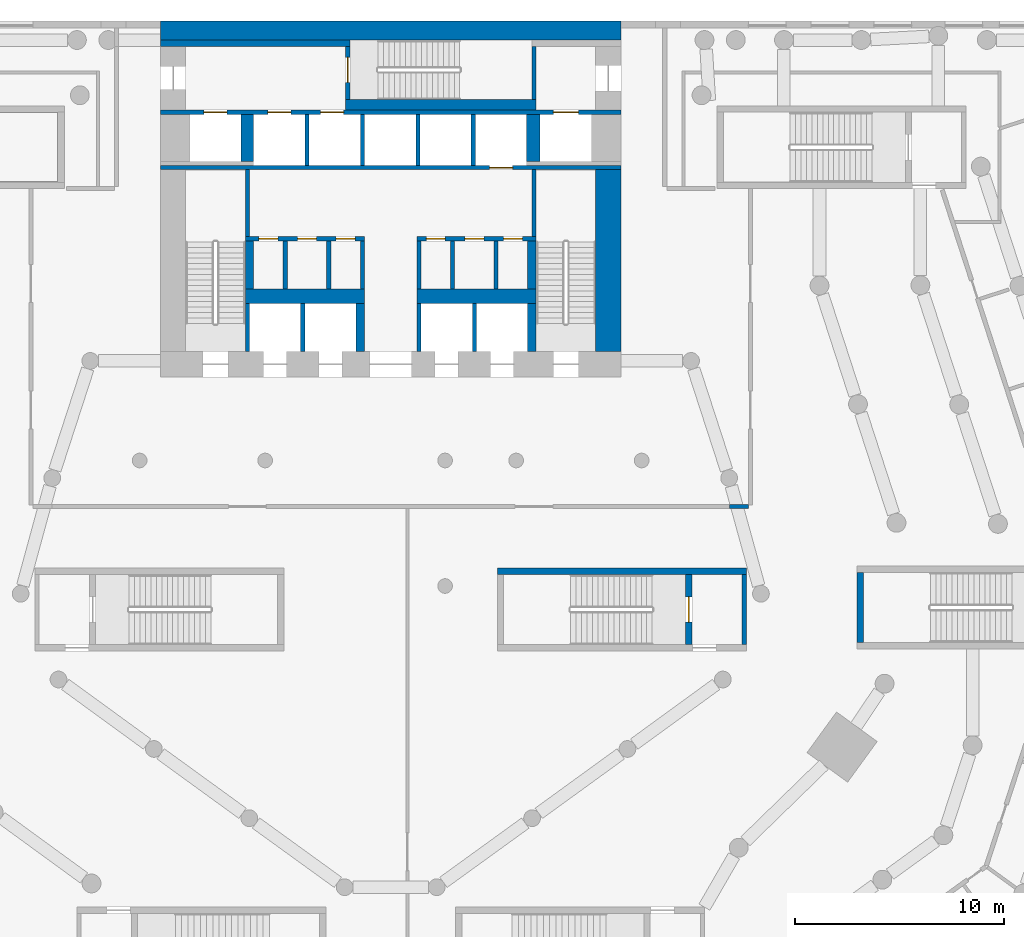
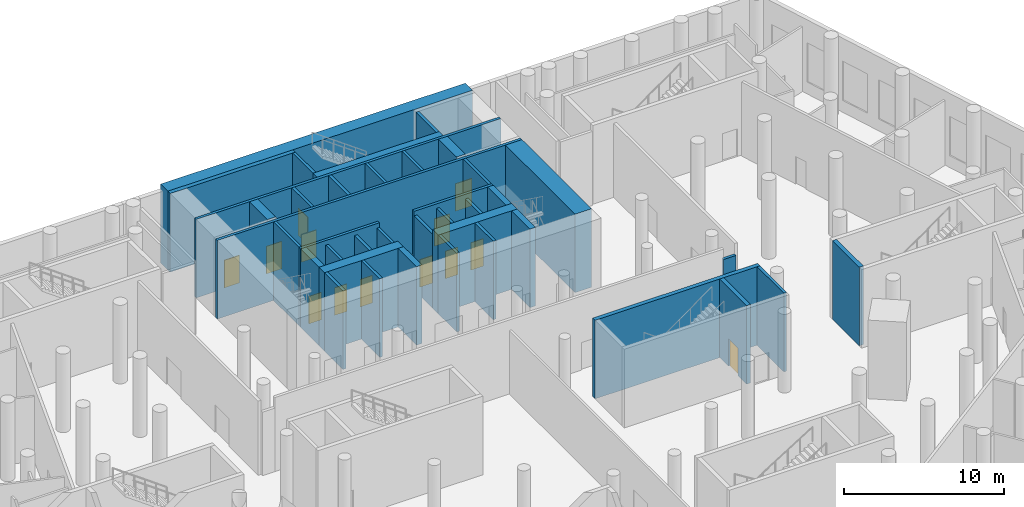
# One storey, part 16 of 23: 39 walls, 13 doors, 13 openings.
"""IFC4 building model written with IfcOpenShell, lengths in metres."""

import ifcopenshell
import ifcopenshell.guid

model = None  # the IFC model being written
_history = None  # IfcOwnerHistory: only IFC2X3 demands one
_inside = {}  # id of a spatial element -> (the spatial element, [elements in it])
_under = {}  # id of a project, library or spatial element -> (it, [spatial elements below it])
_declared = {}  # id of a project -> (the project, [libraries it declares])
_typed = {}  # id of a type object -> (the type object, [elements of that type])
_made_of = {}  # id of a material, layer set ... -> (it, [elements and type objects made of it])


def new_model(schema):
    """Start an empty IFC model of exactly this schema.

    Asked for "IFC4X3", IfcOpenShell would pick the latest addendum, in which some entities
    have other attributes; the version numbers below select the first issue.
    IFC2X3 requires an IfcOwnerHistory on every rooted entity: one is made here for all.
    """
    global model, _history
    if schema == "IFC4X3":
        model = ifcopenshell.file(schema_version=(4, 3, 0, 0))
    else:
        model = ifcopenshell.file(schema=schema)
    _inside.clear()
    _under.clear()
    _declared.clear()
    _typed.clear()
    _made_of.clear()
    _history = None
    if model.schema == "IFC2X3":
        org = make("IfcOrganization", Name="unknown")
        user = make(
            "IfcPersonAndOrganization",
            ThePerson=make("IfcPerson", FamilyName="unknown"),
            TheOrganization=org,
        )
        app = make(
            "IfcApplication",
            ApplicationDeveloper=org,
            Version="unknown",
            ApplicationFullName="unknown",
            ApplicationIdentifier="unknown",
        )
        _history = make(
            "IfcOwnerHistory",
            OwningUser=user,
            OwningApplication=app,
            ChangeAction="ADDED",
            CreationDate=0,
        )
    return model


def make(cls, **values):
    """One entity of the class cls with the attributes given. An attribute that is None is left unset."""
    return model.create_entity(
        cls, **{name: value for name, value in values.items() if value is not None}
    )


def rooted(cls, **values):
    """An entity with a GlobalId (a new one), such as an element, a storey or a relation."""
    return make(cls, GlobalId=ifcopenshell.guid.new(), OwnerHistory=_history, **values)


def si_unit(unit_type, name, prefix=None):
    """IfcSIUnit, for example si_unit("LENGTHUNIT", "METRE", prefix="MILLI")."""
    return make("IfcSIUnit", UnitType=unit_type, Prefix=prefix, Name=name)


def assignment(units):
    """IfcUnitAssignment: the units of a project."""
    return None if units is None else make("IfcUnitAssignment", Units=units)


def point(xyz):
    """IfcCartesianPoint."""
    return None if xyz is None else make("IfcCartesianPoint", Coordinates=xyz)


def direction(xyz):
    """IfcDirection."""
    return None if xyz is None else make("IfcDirection", DirectionRatios=xyz)


def frame(location, z_axis=None, x_axis=None):
    """IfcAxis2Placement3D, a coordinate frame: its origin and axes. An axis left out is left unset."""
    return make(
        "IfcAxis2Placement3D",
        Location=point(location),
        Axis=direction(z_axis),
        RefDirection=direction(x_axis),
    )


def frame_2d(location, x_axis=None):
    """IfcAxis2Placement2D, a coordinate frame in the plane: its origin and x axis."""
    return make(
        "IfcAxis2Placement2D", Location=point(location), RefDirection=direction(x_axis)
    )


def origin():
    """The frame at (0, 0, 0) with its axes left unset."""
    return frame((0.0, 0.0, 0.0))


def place(relative_to, where):
    """IfcLocalPlacement: puts the frame where relative to a parent placement (None: the world)."""
    return make(
        "IfcLocalPlacement", PlacementRelTo=relative_to, RelativePlacement=where
    )


def context(
    kind, dimensions, precision=None, world=None, true_north=None, identifier=None
):
    """IfcGeometricRepresentationContext, for example the 3D "Model" context."""
    return make(
        "IfcGeometricRepresentationContext",
        ContextIdentifier=identifier,
        ContextType=kind,
        CoordinateSpaceDimension=dimensions,
        Precision=precision,
        WorldCoordinateSystem=world,
        TrueNorth=true_north,
    )


def subcontext(parent, identifier, kind, view, scale=None):
    """IfcGeometricRepresentationSubContext, for example "Body" below "Model"."""
    return make(
        "IfcGeometricRepresentationSubContext",
        ContextIdentifier=identifier,
        ContextType=kind,
        ParentContext=parent,
        TargetScale=scale,
        TargetView=view,
    )


def project(units=None, contexts=None):
    """IfcProject with its units and contexts."""
    return rooted(
        "IfcProject",
        Name="project",
        RepresentationContexts=contexts,
        UnitsInContext=assignment(units),
    )


def spatial(cls, under=None, at=None, **own):
    """A site, building, storey or space (cls), placed at a placement, below another one or the project."""
    s = rooted(cls, ObjectPlacement=at, **own)
    if under is not None:
        _under.setdefault(under.id(), (under, []))[1].append(s)
    return s


def profile(cls, at=None, kind="AREA", **sizes):
    """A parametric profile (cls). Its sizes go by their IFC names, for example OverallWidth=200.0."""
    return make(cls, ProfileType=kind, Position=at, **sizes)


def rectangle(**sizes):
    """IfcRectangleProfileDef."""
    return profile("IfcRectangleProfileDef", **sizes)


def extrude(swept, where, along, depth):
    """IfcExtrudedAreaSolid: the profile swept, set in the frame where, extruded along a direction by depth."""
    return make(
        "IfcExtrudedAreaSolid",
        SweptArea=swept,
        Position=where,
        ExtrudedDirection=direction(along),
        Depth=depth,
    )


def shape(context_of_items, identifier, shape_type, items):
    """IfcShapeRepresentation: the items that make up one representation, for example the "Body"."""
    return make(
        "IfcShapeRepresentation",
        ContextOfItems=context_of_items,
        RepresentationIdentifier=identifier,
        RepresentationType=shape_type,
        Items=items,
    )


def material(Name=None, Category=None):
    """IfcMaterial."""
    return make("IfcMaterial", Name=Name, Category=Category)


def layer(
    of_material, thickness, ventilated=None, Name=None, Category=None, Priority=None
):
    """IfcMaterialLayer: one layer of a wall or slab, of a material (None: an air gap)."""
    return make(
        "IfcMaterialLayer",
        Material=of_material,
        LayerThickness=thickness,
        IsVentilated=ventilated,
        Name=Name,
        Category=Category,
        Priority=Priority,
    )


def layer_set(layers, Name=None):
    """IfcMaterialLayerSet."""
    return make("IfcMaterialLayerSet", MaterialLayers=layers, LayerSetName=Name)


def made_of(thing, what):
    """Note that an element or type object is made of a material, layer set ...; save() writes the relation."""
    if what is not None:
        _made_of.setdefault(what.id(), (what, []))[1].append(thing)
    return thing


def type_object(cls, material=None, **own):
    """A type object (cls), such as IfcWallType, which elements share."""
    return made_of(rooted(cls, **own), material)


def element(
    cls,
    number,
    at=None,
    inside=None,
    cuts=None,
    type_object=None,
    material=None,
    context=None,
    identifier="Body",
    shape_type=None,
    held_by="IfcProductDefinitionShape",
    body=None,
    shapes=None,
    **own,
):
    """One element of the class cls, such as IfcWall. Its Tag is "e" and its number.

    at: its placement. inside: the storey or other place that contains it. cuts: it is an
    opening in that element (IfcRelVoidsElement). A single representation is given by context,
    identifier, shape_type and body (its items); several are given by shapes. held_by: the class
    of the entity that holds the representations. save() writes the other relations.
    """
    e = rooted(cls, Tag="e%d" % number, ObjectPlacement=at, **own)
    if body is not None:
        shapes = [shape(context, identifier, shape_type, body)]
    if shapes is not None:
        e.Representation = make(held_by, Representations=shapes)
    if inside is not None:
        _inside.setdefault(inside.id(), (inside, []))[1].append(e)
    if cuts is not None:
        rooted(
            "IfcRelVoidsElement", RelatingBuildingElement=cuts, RelatedOpeningElement=e
        )
    if type_object is not None:
        _typed.setdefault(type_object.id(), (type_object, []))[1].append(e)
    return made_of(e, material)


def fill(opening, filler):
    """IfcRelFillsElement: the door or window that sits in an opening."""
    return rooted(
        "IfcRelFillsElement",
        RelatingOpeningElement=opening,
        RelatedBuildingElement=filler,
    )


def aggregate(whole, parts):
    """IfcRelAggregates: a whole, such as a stair, and the parts it consists of."""
    return rooted("IfcRelAggregates", RelatingObject=whole, RelatedObjects=parts)


def save(model, path):
    """Write the relations noted so far, then the file.

    IfcRelAggregates (storeys below a building ...), IfcRelContainedInSpatialStructure (elements
    in a storey), IfcRelDefinesByType, IfcRelAssociatesMaterial and IfcRelDeclares: one each for
    every whole, place, type object, material and project.
    """
    for whole, parts in _under.values():
        aggregate(whole, parts)
    for where, things in _inside.values():
        rooted(
            "IfcRelContainedInSpatialStructure",
            RelatedElements=things,
            RelatingStructure=where,
        )
    for kind, things in _typed.values():
        rooted("IfcRelDefinesByType", RelatedObjects=things, RelatingType=kind)
    for what, things in _made_of.values():
        rooted("IfcRelAssociatesMaterial", RelatedObjects=things, RelatingMaterial=what)
    for by, libraries in _declared.values():
        rooted("IfcRelDeclares", RelatingContext=by, RelatedDefinitions=libraries)
    model.write(path)


model = new_model("IFC4")

# Units and contexts
model_context = context("Model", 3, precision=1e-05, world=origin(), true_north=direction((0.0, 1.0)))
body_context = subcontext(model_context, "Body", "Model", "MODEL_VIEW")
ifc_project = project(units=[si_unit("LENGTHUNIT", "METRE"), si_unit("AREAUNIT", "SQUARE_METRE"), si_unit("VOLUMEUNIT", "CUBIC_METRE"), si_unit("PLANEANGLEUNIT", "RADIAN"), si_unit("MASSUNIT", "GRAM", prefix="KILO")], contexts=[model_context])

# Site, building, storey
site_placement = place(None, origin())
site = spatial("IfcSite", under=ifc_project, at=site_placement, CompositionType="ELEMENT")
building_placement = place(site_placement, origin())
building = spatial("IfcBuilding", under=site, at=building_placement, Name="White Candle Pilgrim Tower", CompositionType="ELEMENT")
storey_placement = place(building_placement, frame((0.0, 0.0, 9.0)))
storey = spatial("IfcBuildingStorey", under=building, at=storey_placement, Name="L01", CompositionType="ELEMENT", Elevation=9.0)

# Walls
ifc_material_1 = material(Name="Autoclaved aerated block D500, plastered")
ifc_layer_1 = layer(ifc_material_1, 0.199951171875)
ifc_layer_set_1 = layer_set([ifc_layer_1], Name="Compartment wall 200 mm REI 240")
wall_type_1 = type_object("IfcWallType", Name="Compartment wall 200 mm REI 240", PredefinedType="PARTITIONING", material=ifc_layer_set_1)
wall_1_placement = place(storey_placement, frame((87.10009765625, 64.800048828125, 0.0), z_axis=(0.0, 0.0, 1.0), x_axis=(-1.0, 0.0, 0.0)))
element("IfcWall", 1, at=wall_1_placement, inside=storey, type_object=wall_type_1, Name="WL-L01-P034", PredefinedType="PARTITIONING", context=body_context, shape_type="SweptSolid", body=[
    extrude(rectangle(XDim=0.900146484375, YDim=0.199951171875, at=frame_2d((0.4501953125, 0.0))), origin(), (0.0, 0.0, 1.0), 4.85009765625),
])
ifc_material_2 = material(Name="Concrete C70/85", Category="concrete")
ifc_layer_2 = layer(ifc_material_2, 0.199951171875)
ifc_layer_set_2 = layer_set([ifc_layer_2], Name="Core wall 200 mm Concrete C70/85")
wall_type_2 = type_object("IfcWallType", Name="Core wall 200 mm Concrete C70/85", PredefinedType="SHEAR", material=ifc_layer_set_2)
wall_2_placement = place(storey_placement, frame((86.89990234375, 58.199951171875, 0.0), z_axis=(0.0, 0.0, 1.0), x_axis=(0.0, 1.0, 0.0)))
element("IfcWall", 2, at=wall_2_placement, inside=storey, type_object=wall_type_2, Name="WL-L01-C20", PredefinedType="SHEAR", context=body_context, shape_type="SweptSolid", body=[
    extrude(rectangle(XDim=3.35009765625, YDim=0.199951171875, at=frame_2d((1.675048828125, 0.0))), origin(), (0.0, 0.0, 1.0), 6.0),
])

# Wall, openings, doors
wall_3_placement = place(storey_placement, frame((59.0, 83.64990234375, 0.0), z_axis=(0.0, 0.0, 1.0), x_axis=(1.0, 0.0, 0.0)))
wall_3 = element("IfcWall", 3, at=wall_3_placement, inside=storey, type_object=wall_type_2, Name="WL-L01-C73", PredefinedType="SHEAR", context=body_context, shape_type="SweptSolid", body=[
    extrude(rectangle(XDim=22.0, YDim=0.199951171875, at=frame_2d((11.0, 0.0))), origin(), (0.0, 0.0, 1.0), 6.0),
])
opening_1_placement = place(wall_3_placement, frame((5.125, 0.0, 0.0)))
opening_1 = element("IfcOpeningElement", 4, at=opening_1_placement, cuts=wall_3, Name="Opening L01-023", PredefinedType="OPENING", context=body_context, shape_type="SweptSolid", body=[
    extrude(rectangle(XDim=1.10009765625, YDim=2.10009765625, at=frame_2d((0.550048828125, 1.050048828125))), frame((0.0, 0.10986328125, 0.0), z_axis=(0.0, -1.0, 0.0), x_axis=(1.0, 0.0, 0.0)), (0.0, 0.0, 1.0), 0.219970703125),
])
opening_2_placement = place(wall_3_placement, frame((7.64990234375, 0.0, 0.0)))
opening_2 = element("IfcOpeningElement", 5, at=opening_2_placement, cuts=wall_3, Name="Opening L01-024", PredefinedType="OPENING", context=body_context, shape_type="SweptSolid", body=[
    extrude(rectangle(XDim=1.10009765625, YDim=2.10009765625, at=frame_2d((0.550048828125, 1.050048828125))), frame((0.0, 0.10986328125, 0.0), z_axis=(0.0, -1.0, 0.0), x_axis=(1.0, 0.0, 0.0)), (0.0, 0.0, 1.0), 0.219970703125),
])
opening_3_placement = place(wall_3_placement, frame((18.77490234375, 0.0, 0.0)))
opening_3 = element("IfcOpeningElement", 6, at=opening_3_placement, cuts=wall_3, Name="Opening L01-030", PredefinedType="OPENING", context=body_context, shape_type="SweptSolid", body=[
    extrude(rectangle(XDim=1.199951171875, YDim=2.10009765625, at=frame_2d((0.60009765625, 1.050048828125))), frame((0.0, 0.10986328125, 0.0), z_axis=(0.0, -1.0, 0.0), x_axis=(1.0, 0.0, 0.0)), (0.0, 0.0, 1.0), 0.219970703125),
])
opening_4_placement = place(wall_3_placement, frame((2.074951171875, 0.0, 0.0)))
opening_4 = element("IfcOpeningElement", 7, at=opening_4_placement, cuts=wall_3, Name="Opening L01-031", PredefinedType="OPENING", context=body_context, shape_type="SweptSolid", body=[
    extrude(rectangle(XDim=1.10009765625, YDim=2.10009765625, at=frame_2d((0.550048828125, 1.050048828125))), frame((0.0, 0.10986328125, 0.0), z_axis=(0.0, -1.0, 0.0), x_axis=(1.0, 0.0, 0.0)), (0.0, 0.0, 1.0), 0.219970703125),
])
ifc_material_3 = material(Name="Stainless steel", Category="steel")
door_type_1 = type_object("IfcDoorType", Name="Lift landing door 1100 x 2100 EI 60", OperationType="DOUBLE_DOOR_SLIDING", PredefinedType="DOOR", material=ifc_material_3)
door_1_placement = place(opening_1_placement, origin())
door_1 = element("IfcDoor", 8, at=door_1_placement, inside=storey, type_object=door_type_1, Name="Door L01-023", OperationType="DOUBLE_DOOR_SLIDING", OverallHeight=2.10009765625, OverallWidth=1.10009765625, PredefinedType="DOOR", context=body_context, shape_type="SweptSolid", body=[
    extrude(rectangle(XDim=1.10009765625, YDim=2.10009765625, at=frame_2d((0.550048828125, 1.050048828125))), frame((0.0, 0.02490234375, 0.0), z_axis=(0.0, -1.0, 0.0), x_axis=(1.0, 0.0, 0.0)), (0.0, 0.0, 1.0), 0.050048828125),
])
fill(opening_1, door_1)
door_2_placement = place(opening_2_placement, origin())
door_2 = element("IfcDoor", 9, at=door_2_placement, inside=storey, type_object=door_type_1, Name="Door L01-024", OperationType="DOUBLE_DOOR_SLIDING", OverallHeight=2.10009765625, OverallWidth=1.10009765625, PredefinedType="DOOR", context=body_context, shape_type="SweptSolid", body=[
    extrude(rectangle(XDim=1.10009765625, YDim=2.10009765625, at=frame_2d((0.550048828125, 1.050048828125))), frame((0.0, 0.02490234375, 0.0), z_axis=(0.0, -1.0, 0.0), x_axis=(1.0, 0.0, 0.0)), (0.0, 0.0, 1.0), 0.050048828125),
])
fill(opening_2, door_2)
door_3_placement = place(opening_4_placement, origin())
door_3 = element("IfcDoor", 10, at=door_3_placement, inside=storey, type_object=door_type_1, Name="Door L01-031", OperationType="DOUBLE_DOOR_SLIDING", OverallHeight=2.10009765625, OverallWidth=1.10009765625, PredefinedType="DOOR", context=body_context, shape_type="SweptSolid", body=[
    extrude(rectangle(XDim=1.10009765625, YDim=2.10009765625, at=frame_2d((0.550048828125, 1.050048828125))), frame((0.0, 0.02490234375, 0.0), z_axis=(0.0, -1.0, 0.0), x_axis=(1.0, 0.0, 0.0)), (0.0, 0.0, 1.0), 0.050048828125),
])
fill(opening_4, door_3)
door_type_2 = type_object("IfcDoorType", Name="Lift landing door 1200 x 2100 E 60", OperationType="DOUBLE_DOOR_SLIDING", PredefinedType="DOOR", material=ifc_material_3)
door_4_placement = place(opening_3_placement, origin())
door_4 = element("IfcDoor", 11, at=door_4_placement, inside=storey, type_object=door_type_2, Name="Door L01-030", OperationType="DOUBLE_DOOR_SLIDING", OverallHeight=2.10009765625, OverallWidth=1.199951171875, PredefinedType="DOOR", context=body_context, shape_type="SweptSolid", body=[
    extrude(rectangle(XDim=1.199951171875, YDim=2.10009765625, at=frame_2d((0.60009765625, 1.050048828125))), frame((0.0, 0.02490234375, 0.0), z_axis=(0.0, -1.0, 0.0), x_axis=(1.0, 0.0, 0.0)), (0.0, 0.0, 1.0), 0.050048828125),
])
fill(opening_3, door_4)

# Walls
ifc_material_4 = material(Name="Gypsum board on steel studs", Category="steel")
ifc_layer_3 = layer(ifc_material_4, 0.199951171875)
ifc_layer_set_3 = layer_set([ifc_layer_3], Name="Lobby wall 200 mm EI 60")
wall_type_3 = type_object("IfcWallType", Name="Lobby wall 200 mm EI 60", PredefinedType="PARTITIONING", material=ifc_layer_set_3)
for number, where, z_axis, x_axis, name in (
    (12, (64.9599609375, 75.199951171875, 0.0), (0.0, 0.0, 1.0), (0.0, 1.0, 0.0), "WL-L01-C43"),
    (13, (67.0400390625, 75.199951171875, 0.0), (0.0, 0.0, 1.0), (0.0, 1.0, 0.0), "WL-L01-C44"),
    (14, (68.64990234375, 75.199951171875, 0.0), (0.0, 0.0, 1.0), (0.0, 1.0, 0.0), "WL-L01-C45"),
    (15, (71.35009765625, 75.199951171875, 0.0), (0.0, 0.0, 1.0), (0.0, 1.0, 0.0), "WL-L01-C46"),
    (16, (72.9599609375, 75.199951171875, 0.0), (0.0, 0.0, 1.0), (0.0, 1.0, 0.0), "WL-L01-C47"),
    (17, (75.0400390625, 75.199951171875, 0.0), (0.0, 0.0, 1.0), (0.0, 1.0, 0.0), "WL-L01-C48"),
):
    element("IfcWall", number, at=place(storey_placement, frame(where, z_axis=z_axis, x_axis=x_axis)), inside=storey, type_object=wall_type_3, Name=name, PredefinedType="PARTITIONING", context=body_context, shape_type="SweptSolid", body=[
        extrude(rectangle(XDim=2.300048828125, YDim=0.199951171875, at=frame_2d((1.14990234375, 0.0))), origin(), (0.0, 0.0, 1.0), 5.64990234375),
    ])
ifc_layer_4 = layer(ifc_material_2, 0.199951171875)
ifc_layer_set_4 = layer_set([ifc_layer_4], Name="Shaft wall 200 mm Concrete C70/85")
wall_type_4 = type_object("IfcWallType", Name="Shaft wall 200 mm Concrete C70/85", PredefinedType="SHEAR", material=ifc_layer_set_4)
for number, where, z_axis, x_axis, name in (
    (18, (65.800048828125, 72.199951171875, 0.0), (0.0, 0.0, 1.0), (0.0, 1.0, 0.0), "WL-L01-C34"),
    (19, (71.35009765625, 72.199951171875, 0.0), (0.0, 0.0, 1.0), (0.0, 1.0, 0.0), "WL-L01-C36"),
    (20, (74.0, 72.199951171875, 0.0), (0.0, 0.0, 1.0), (0.0, 1.0, 0.0), "WL-L01-C37"),
):
    element("IfcWall", number, at=place(storey_placement, frame(where, z_axis=z_axis, x_axis=x_axis)), inside=storey, type_object=wall_type_4, Name=name, PredefinedType="SHEAR", context=body_context, shape_type="SweptSolid", body=[
        extrude(rectangle(XDim=2.300048828125, YDim=0.199951171875, at=frame_2d((1.14990234375, 0.0))), origin(), (0.0, 0.0, 1.0), 6.0),
    ])
for number, where, z_axis, x_axis, name in (
    (21, (66.0, 81.10009765625, 0.0), (0.0, 0.0, 1.0), (0.0, 1.0, 0.0), "WL-L01-C64"),
    (22, (68.64990234375, 81.10009765625, 0.0), (0.0, 0.0, 1.0), (0.0, 1.0, 0.0), "WL-L01-C65"),
    (23, (71.300048828125, 81.10009765625, 0.0), (0.0, 0.0, 1.0), (0.0, 1.0, 0.0), "WL-L01-C66"),
    (24, (73.949951171875, 81.10009765625, 0.0), (0.0, 0.0, 1.0), (0.0, 1.0, 0.0), "WL-L01-C67"),
):
    element("IfcWall", number, at=place(storey_placement, frame(where, z_axis=z_axis, x_axis=x_axis)), inside=storey, type_object=wall_type_4, Name=name, PredefinedType="SHEAR", context=body_context, shape_type="SweptSolid", body=[
        extrude(rectangle(XDim=2.449951171875, YDim=0.199951171875, at=frame_2d((1.22509765625, 0.0))), origin(), (0.0, 0.0, 1.0), 6.0),
    ])
ifc_layer_5 = layer(ifc_material_2, 0.39990234375)
ifc_layer_set_5 = layer_set([ifc_layer_5], Name="Shaft wall 400 mm Concrete C70/85")
wall_type_5 = type_object("IfcWallType", Name="Shaft wall 400 mm Concrete C70/85", PredefinedType="SHEAR", material=ifc_layer_set_5)
wall_4_placement = place(storey_placement, frame((68.550048828125, 72.199951171875, 0.0), z_axis=(0.0, 0.0, 1.0), x_axis=(0.0, 1.0, 0.0)))
element("IfcWall", 25, at=wall_4_placement, inside=storey, type_object=wall_type_5, Name="WL-L01-C35", PredefinedType="SHEAR", context=body_context, shape_type="SweptSolid", body=[
    extrude(rectangle(XDim=2.300048828125, YDim=0.39990234375, at=frame_2d((1.14990234375, 0.0))), origin(), (0.0, 0.0, 1.0), 6.0),
])
ifc_layer_6 = layer(ifc_material_2, 0.60009765625)
ifc_layer_set_6 = layer_set([ifc_layer_6], Name="Shaft wall 600 mm Concrete C70/85")
wall_type_6 = type_object("IfcWallType", Name="Shaft wall 600 mm Concrete C70/85", PredefinedType="SHEAR", material=ifc_layer_set_6)
wall_5_placement = place(storey_placement, frame((63.14990234375, 81.300048828125, 0.0), z_axis=(0.0, 0.0, 1.0), x_axis=(0.0, 1.0, 0.0)))
element("IfcWall", 26, at=wall_5_placement, inside=storey, type_object=wall_type_6, Name="WL-L01-C70", PredefinedType="SHEAR", context=body_context, shape_type="SweptSolid", body=[
    extrude(rectangle(XDim=2.25, YDim=0.60009765625, at=frame_2d((1.125, 0.0))), origin(), (0.0, 0.0, 1.0), 6.0),
])
ifc_layer_7 = layer(ifc_material_2, 0.64990234375)
ifc_layer_set_7 = layer_set([ifc_layer_7], Name="Shaft wall 650 mm Concrete C70/85")
wall_type_7 = type_object("IfcWallType", Name="Shaft wall 650 mm Concrete C70/85", PredefinedType="SHEAR", material=ifc_layer_set_7)
wall_6_placement = place(storey_placement, frame((76.824951171875, 81.300048828125, 0.0), z_axis=(0.0, 0.0, 1.0), x_axis=(0.0, 1.0, 0.0)))
element("IfcWall", 27, at=wall_6_placement, inside=storey, type_object=wall_type_7, Name="WL-L01-C71", PredefinedType="SHEAR", context=body_context, shape_type="SweptSolid", body=[
    extrude(rectangle(XDim=2.25, YDim=0.64990234375, at=frame_2d((1.125, 0.0))), origin(), (0.0, 0.0, 1.0), 6.0),
])
ifc_layer_8 = layer(ifc_material_2, 1.199951171875)
ifc_layer_set_8 = layer_set([ifc_layer_8], Name="Stair shaft wall 1200 mm Concrete C70/85")
wall_type_8 = type_object("IfcWallType", Name="Stair shaft wall 1200 mm Concrete C70/85", PredefinedType="SHEAR", material=ifc_layer_set_8)
wall_7_placement = place(storey_placement, frame((80.39990234375, 72.199951171875, 0.0), z_axis=(0.0, 0.0, 1.0), x_axis=(0.0, 1.0, 0.0)))
element("IfcWall", 28, at=wall_7_placement, inside=storey, type_object=wall_type_8, Name="WL-L01-C39", PredefinedType="SHEAR", context=body_context, shape_type="SweptSolid", body=[
    extrude(rectangle(XDim=8.699951171875, YDim=1.199951171875, at=frame_2d((4.35009765625, 0.0))), origin(), (0.0, 0.0, 1.0), 6.0),
])
ifc_layer_9 = layer(ifc_material_2, 0.199951171875)
ifc_layer_set_9 = layer_set([ifc_layer_9], Name="Stair shaft wall 200 mm Concrete C70/85")
wall_type_9 = type_object("IfcWallType", Name="Stair shaft wall 200 mm Concrete C70/85", PredefinedType="SHEAR", material=ifc_layer_set_9)
wall_8_placement = place(storey_placement, frame((63.14990234375, 72.199951171875, 0.0), z_axis=(0.0, 0.0, 1.0), x_axis=(0.0, 1.0, 0.0)))
element("IfcWall", 29, at=wall_8_placement, inside=storey, type_object=wall_type_9, Name="WL-L01-C33", PredefinedType="SHEAR", context=body_context, shape_type="SweptSolid", body=[
    extrude(rectangle(XDim=2.300048828125, YDim=0.199951171875, at=frame_2d((1.14990234375, 0.0))), origin(), (0.0, 0.0, 1.0), 6.0),
])

# Wall, openings, doors
wall_9_placement = place(storey_placement, frame((63.050048828125, 77.60009765625, 0.0), z_axis=(0.0, 0.0, 1.0), x_axis=(1.0, 0.0, 0.0)))
wall_9 = element("IfcWall", 30, at=wall_9_placement, inside=storey, type_object=wall_type_9, Name="WL-L01-C50", PredefinedType="SHEAR", context=body_context, shape_type="SweptSolid", body=[
    extrude(rectangle(XDim=5.699951171875, YDim=0.199951171875, at=frame_2d((2.85009765625, 0.0))), origin(), (0.0, 0.0, 1.0), 6.0),
])
opening_5_placement = place(wall_9_placement, frame((0.655029296875, 0.0, 0.0)))
opening_5 = element("IfcOpeningElement", 31, at=opening_5_placement, cuts=wall_9, Name="Opening L01-032", PredefinedType="OPENING", context=body_context, shape_type="SweptSolid", body=[
    extrude(rectangle(XDim=0.89990234375, YDim=2.10009765625, at=frame_2d((0.449951171875, 1.050048828125))), frame((0.0, 0.10986328125, 0.0), z_axis=(0.0, -1.0, 0.0), x_axis=(1.0, 0.0, 0.0)), (0.0, 0.0, 1.0), 0.219970703125),
])
opening_6_placement = place(wall_9_placement, frame((2.5, 0.0, 0.0)))
opening_6 = element("IfcOpeningElement", 32, at=opening_6_placement, cuts=wall_9, Name="Opening L01-033", PredefinedType="OPENING", context=body_context, shape_type="SweptSolid", body=[
    extrude(rectangle(XDim=0.89990234375, YDim=2.10009765625, at=frame_2d((0.449951171875, 1.050048828125))), frame((0.0, 0.10986328125, 0.0), z_axis=(0.0, -1.0, 0.0), x_axis=(1.0, 0.0, 0.0)), (0.0, 0.0, 1.0), 0.219970703125),
])
opening_7_placement = place(wall_9_placement, frame((4.344970703125, 0.0, 0.0)))
opening_7 = element("IfcOpeningElement", 33, at=opening_7_placement, cuts=wall_9, Name="Opening L01-034", PredefinedType="OPENING", context=body_context, shape_type="SweptSolid", body=[
    extrude(rectangle(XDim=0.89990234375, YDim=2.10009765625, at=frame_2d((0.449951171875, 1.050048828125))), frame((0.0, 0.10986328125, 0.0), z_axis=(0.0, -1.0, 0.0), x_axis=(1.0, 0.0, 0.0)), (0.0, 0.0, 1.0), 0.219970703125),
])
ifc_material_5 = material(Name="Steel door leaf", Category="steel")
door_type_3 = type_object("IfcDoorType", Name="Fire door 900 x 2100 EI 30", OperationType="NOTDEFINED", PredefinedType="DOOR", material=ifc_material_5)
door_5_placement = place(opening_5_placement, origin())
door_5 = element("IfcDoor", 34, at=door_5_placement, inside=storey, type_object=door_type_3, Name="Door L01-032", OperationType="SINGLE_SWING_RIGHT", OverallHeight=2.10009765625, OverallWidth=0.89990234375, PredefinedType="DOOR", context=body_context, shape_type="SweptSolid", body=[
    extrude(rectangle(XDim=0.89990234375, YDim=2.10009765625, at=frame_2d((0.449951171875, 1.050048828125))), frame((0.0, 0.02490234375, 0.0), z_axis=(0.0, -1.0, 0.0), x_axis=(1.0, 0.0, 0.0)), (0.0, 0.0, 1.0), 0.050048828125),
])
fill(opening_5, door_5)
door_6_placement = place(opening_6_placement, origin())
door_6 = element("IfcDoor", 35, at=door_6_placement, inside=storey, type_object=door_type_3, Name="Door L01-033", OperationType="SINGLE_SWING_LEFT", OverallHeight=2.10009765625, OverallWidth=0.89990234375, PredefinedType="DOOR", context=body_context, shape_type="SweptSolid", body=[
    extrude(rectangle(XDim=0.89990234375, YDim=2.10009765625, at=frame_2d((0.449951171875, 1.050048828125))), frame((0.0, 0.02490234375, 0.0), z_axis=(0.0, -1.0, 0.0), x_axis=(1.0, 0.0, 0.0)), (0.0, 0.0, 1.0), 0.050048828125),
])
fill(opening_6, door_6)
door_7_placement = place(opening_7_placement, origin())
door_7 = element("IfcDoor", 36, at=door_7_placement, inside=storey, type_object=door_type_3, Name="Door L01-034", OperationType="SINGLE_SWING_RIGHT", OverallHeight=2.10009765625, OverallWidth=0.89990234375, PredefinedType="DOOR", context=body_context, shape_type="SweptSolid", body=[
    extrude(rectangle(XDim=0.89990234375, YDim=2.10009765625, at=frame_2d((0.449951171875, 1.050048828125))), frame((0.0, 0.02490234375, 0.0), z_axis=(0.0, -1.0, 0.0), x_axis=(1.0, 0.0, 0.0)), (0.0, 0.0, 1.0), 0.050048828125),
])
fill(opening_7, door_7)

wall_10_placement = place(storey_placement, frame((71.25, 77.60009765625, 0.0), z_axis=(0.0, 0.0, 1.0), x_axis=(1.0, 0.0, 0.0)))
wall_10 = element("IfcWall", 37, at=wall_10_placement, inside=storey, type_object=wall_type_9, Name="WL-L01-C51", PredefinedType="SHEAR", context=body_context, shape_type="SweptSolid", body=[
    extrude(rectangle(XDim=5.699951171875, YDim=0.199951171875, at=frame_2d((2.85009765625, 0.0))), origin(), (0.0, 0.0, 1.0), 6.0),
])
opening_8_placement = place(wall_10_placement, frame((0.455078125, 0.0, 0.0)))
opening_8 = element("IfcOpeningElement", 38, at=opening_8_placement, cuts=wall_10, Name="Opening L01-035", PredefinedType="OPENING", context=body_context, shape_type="SweptSolid", body=[
    extrude(rectangle(XDim=0.89990234375, YDim=2.10009765625, at=frame_2d((0.449951171875, 1.050048828125))), frame((0.0, 0.10986328125, 0.0), z_axis=(0.0, -1.0, 0.0), x_axis=(1.0, 0.0, 0.0)), (0.0, 0.0, 1.0), 0.219970703125),
])
opening_9_placement = place(wall_10_placement, frame((2.300048828125, 0.0, 0.0)))
opening_9 = element("IfcOpeningElement", 39, at=opening_9_placement, cuts=wall_10, Name="Opening L01-036", PredefinedType="OPENING", context=body_context, shape_type="SweptSolid", body=[
    extrude(rectangle(XDim=0.89990234375, YDim=2.10009765625, at=frame_2d((0.449951171875, 1.050048828125))), frame((0.0, 0.10986328125, 0.0), z_axis=(0.0, -1.0, 0.0), x_axis=(1.0, 0.0, 0.0)), (0.0, 0.0, 1.0), 0.219970703125),
])
opening_10_placement = place(wall_10_placement, frame((4.14501953125, 0.0, 0.0)))
opening_10 = element("IfcOpeningElement", 40, at=opening_10_placement, cuts=wall_10, Name="Opening L01-037", PredefinedType="OPENING", context=body_context, shape_type="SweptSolid", body=[
    extrude(rectangle(XDim=0.89990234375, YDim=2.10009765625, at=frame_2d((0.449951171875, 1.050048828125))), frame((0.0, 0.10986328125, 0.0), z_axis=(0.0, -1.0, 0.0), x_axis=(1.0, 0.0, 0.0)), (0.0, 0.0, 1.0), 0.219970703125),
])
door_8_placement = place(opening_8_placement, origin())
door_8 = element("IfcDoor", 41, at=door_8_placement, inside=storey, type_object=door_type_3, Name="Door L01-035", OperationType="SINGLE_SWING_LEFT", OverallHeight=2.10009765625, OverallWidth=0.89990234375, PredefinedType="DOOR", context=body_context, shape_type="SweptSolid", body=[
    extrude(rectangle(XDim=0.89990234375, YDim=2.10009765625, at=frame_2d((0.449951171875, 1.050048828125))), frame((0.0, 0.02490234375, 0.0), z_axis=(0.0, -1.0, 0.0), x_axis=(1.0, 0.0, 0.0)), (0.0, 0.0, 1.0), 0.050048828125),
])
fill(opening_8, door_8)
door_9_placement = place(opening_9_placement, origin())
door_9 = element("IfcDoor", 42, at=door_9_placement, inside=storey, type_object=door_type_3, Name="Door L01-036", OperationType="SINGLE_SWING_RIGHT", OverallHeight=2.10009765625, OverallWidth=0.89990234375, PredefinedType="DOOR", context=body_context, shape_type="SweptSolid", body=[
    extrude(rectangle(XDim=0.89990234375, YDim=2.10009765625, at=frame_2d((0.449951171875, 1.050048828125))), frame((0.0, 0.02490234375, 0.0), z_axis=(0.0, -1.0, 0.0), x_axis=(1.0, 0.0, 0.0)), (0.0, 0.0, 1.0), 0.050048828125),
])
fill(opening_9, door_9)
door_10_placement = place(opening_10_placement, origin())
door_10 = element("IfcDoor", 43, at=door_10_placement, inside=storey, type_object=door_type_3, Name="Door L01-037", OperationType="SINGLE_SWING_LEFT", OverallHeight=2.10009765625, OverallWidth=0.89990234375, PredefinedType="DOOR", context=body_context, shape_type="SweptSolid", body=[
    extrude(rectangle(XDim=0.89990234375, YDim=2.10009765625, at=frame_2d((0.449951171875, 1.050048828125))), frame((0.0, 0.02490234375, 0.0), z_axis=(0.0, -1.0, 0.0), x_axis=(1.0, 0.0, 0.0)), (0.0, 0.0, 1.0), 0.050048828125),
])
fill(opening_10, door_10)

# Walls
for number, where, z_axis, x_axis, name in (
    (44, (63.14990234375, 77.699951171875, 0.0), (0.0, 0.0, 1.0), (0.0, 1.0, 0.0), "WL-L01-C52"),
    (45, (76.85009765625, 77.699951171875, 0.0), (0.0, 0.0, 1.0), (0.0, 1.0, 0.0), "WL-L01-C53"),
):
    element("IfcWall", number, at=place(storey_placement, frame(where, z_axis=z_axis, x_axis=x_axis)), inside=storey, type_object=wall_type_9, Name=name, PredefinedType="SHEAR", context=body_context, shape_type="SweptSolid", body=[
        extrude(rectangle(XDim=3.199951171875, YDim=0.199951171875, at=frame_2d((1.60009765625, 0.0))), origin(), (0.0, 0.0, 1.0), 6.0),
    ])

# Wall, opening, door
wall_11_placement = place(storey_placement, frame((59.0, 81.0, 0.0), z_axis=(0.0, 0.0, 1.0), x_axis=(1.0, 0.0, 0.0)))
wall_11 = element("IfcWall", 46, at=wall_11_placement, inside=storey, type_object=wall_type_9, Name="WL-L01-C62", PredefinedType="SHEAR", context=body_context, shape_type="SweptSolid", body=[
    extrude(rectangle(XDim=22.0, YDim=0.199951171875, at=frame_2d((11.0, 0.0))), origin(), (0.0, 0.0, 1.0), 6.0),
])
opening_11_placement = place(wall_11_placement, frame((15.72509765625, 0.0, 0.0)))
opening_11 = element("IfcOpeningElement", 47, at=opening_11_placement, cuts=wall_11, Name="Opening L01-025", PredefinedType="OPENING", context=body_context, shape_type="SweptSolid", body=[
    extrude(rectangle(XDim=1.10009765625, YDim=2.10009765625, at=frame_2d((0.550048828125, 1.050048828125))), frame((0.0, 0.10986328125, 0.0), z_axis=(0.0, -1.0, 0.0), x_axis=(1.0, 0.0, 0.0)), (0.0, 0.0, 1.0), 0.219970703125),
])
door_type_4 = type_object("IfcDoorType", Name="Lift landing door 1100 x 2100 E 60", OperationType="DOUBLE_DOOR_SLIDING", PredefinedType="DOOR", material=ifc_material_3)
door_11_placement = place(opening_11_placement, origin())
door_11 = element("IfcDoor", 48, at=door_11_placement, inside=storey, type_object=door_type_4, Name="Door L01-025", OperationType="DOUBLE_DOOR_SLIDING", OverallHeight=2.10009765625, OverallWidth=1.10009765625, PredefinedType="DOOR", context=body_context, shape_type="SweptSolid", body=[
    extrude(rectangle(XDim=1.10009765625, YDim=2.10009765625, at=frame_2d((0.550048828125, 1.050048828125))), frame((0.0, 0.02490234375, 0.0), z_axis=(0.0, -1.0, 0.0), x_axis=(1.0, 0.0, 0.0)), (0.0, 0.0, 1.0), 0.050048828125),
])
fill(opening_11, door_11)

wall_12_placement = place(storey_placement, frame((67.949951171875, 84.25, 0.0), z_axis=(0.0, 0.0, 1.0), x_axis=(0.0, 1.0, 0.0)))
wall_12 = element("IfcWall", 49, at=wall_12_placement, inside=storey, type_object=wall_type_9, Name="WL-L01-C79", PredefinedType="SHEAR", context=body_context, shape_type="SweptSolid", body=[
    extrude(rectangle(XDim=2.550048828125, YDim=0.199951171875, at=frame_2d((1.27490234375, 0.0))), origin(), (0.0, 0.0, 1.0), 6.0),
])
opening_12_placement = place(wall_12_placement, frame((0.824951171875, 0.0, 0.0)))
opening_12 = element("IfcOpeningElement", 50, at=opening_12_placement, cuts=wall_12, Name="Opening L01-003", PredefinedType="OPENING", context=body_context, shape_type="SweptSolid", body=[
    extrude(rectangle(XDim=1.199951171875, YDim=2.10009765625, at=frame_2d((0.60009765625, 1.050048828125))), frame((0.0, 0.10986328125, 0.0), z_axis=(0.0, -1.0, 0.0), x_axis=(1.0, 0.0, 0.0)), (0.0, 0.0, 1.0), 0.219970703125),
])
door_type_5 = type_object("IfcDoorType", Name="Fire door 1200 x 2100 EI 60", OperationType="NOTDEFINED", PredefinedType="DOOR", material=ifc_material_5)
door_12_placement = place(opening_12_placement, frame((1.199951171875, 0.0, 0.0), z_axis=(0.0, 0.0, 1.0), x_axis=(-1.0, 0.0, 0.0)))
door_12 = element("IfcDoor", 51, at=door_12_placement, inside=storey, type_object=door_type_5, Name="Door L01-003", OperationType="SINGLE_SWING_RIGHT", OverallHeight=2.10009765625, OverallWidth=1.199951171875, PredefinedType="DOOR", context=body_context, shape_type="SweptSolid", body=[
    extrude(rectangle(XDim=1.199951171875, YDim=2.10009765625, at=frame_2d((0.60009765625, 1.050048828125))), frame((0.0, 0.02490234375, 0.0), z_axis=(0.0, -1.0, 0.0), x_axis=(1.0, 0.0, 0.0)), (0.0, 0.0, 1.0), 0.050048828125),
])
fill(opening_12, door_12)

# Wall
wall_13_placement = place(storey_placement, frame((76.85009765625, 84.25, 0.0), z_axis=(0.0, 0.0, 1.0), x_axis=(0.0, 1.0, 0.0)))
element("IfcWall", 52, at=wall_13_placement, inside=storey, type_object=wall_type_9, Name="WL-L01-C80", PredefinedType="SHEAR", context=body_context, shape_type="SweptSolid", body=[
    extrude(rectangle(XDim=2.550048828125, YDim=0.199951171875, at=frame_2d((1.27490234375, 0.0))), origin(), (0.0, 0.0, 1.0), 6.0),
])

# Wall, opening, door
ifc_layer_10 = layer(ifc_material_2, 0.300048828125)
ifc_layer_set_10 = layer_set([ifc_layer_10], Name="Stair shaft wall 300 mm Concrete C70/85")
wall_type_10 = type_object("IfcWallType", Name="Stair shaft wall 300 mm Concrete C70/85", PredefinedType="SHEAR", material=ifc_layer_set_10)
wall_14_placement = place(storey_placement, frame((84.25, 58.199951171875, 0.0), z_axis=(0.0, 0.0, 1.0), x_axis=(0.0, 1.0, 0.0)))
wall_14 = element("IfcWall", 53, at=wall_14_placement, inside=storey, type_object=wall_type_10, Name="WL-L01-C19", PredefinedType="SHEAR", context=body_context, shape_type="SweptSolid", body=[
    extrude(rectangle(XDim=3.35009765625, YDim=0.300048828125, at=frame_2d((1.675048828125, 0.0))), origin(), (0.0, 0.0, 1.0), 6.0),
])
opening_13_placement = place(wall_14_placement, frame((1.074951171875, 0.0, 0.0)))
opening_13 = element("IfcOpeningElement", 54, at=opening_13_placement, cuts=wall_14, Name="Opening L01-010", PredefinedType="OPENING", context=body_context, shape_type="SweptSolid", body=[
    extrude(rectangle(XDim=1.199951171875, YDim=2.10009765625, at=frame_2d((0.60009765625, 1.050048828125))), frame((0.0, 0.159912109375, 0.0), z_axis=(0.0, -1.0, 0.0), x_axis=(1.0, 0.0, 0.0)), (0.0, 0.0, 1.0), 0.320068359375),
])
door_13_placement = place(opening_13_placement, origin())
door_13 = element("IfcDoor", 55, at=door_13_placement, inside=storey, type_object=door_type_5, Name="Door L01-010", OperationType="SINGLE_SWING_RIGHT", OverallHeight=2.10009765625, OverallWidth=1.199951171875, PredefinedType="DOOR", context=body_context, shape_type="SweptSolid", body=[
    extrude(rectangle(XDim=1.199951171875, YDim=2.10009765625, at=frame_2d((0.60009765625, 1.050048828125))), frame((0.0, 0.02490234375, 0.0), z_axis=(0.0, -1.0, 0.0), x_axis=(1.0, 0.0, 0.0)), (0.0, 0.0, 1.0), 0.050048828125),
])
fill(opening_13, door_13)

# Walls
wall_15_placement = place(storey_placement, frame((92.449951171875, 58.300048828125, 0.0), z_axis=(0.0, 0.0, 1.0), x_axis=(0.0, 1.0, 0.0)))
element("IfcWall", 56, at=wall_15_placement, inside=storey, type_object=wall_type_10, Name="WL-L01-C24", PredefinedType="SHEAR", context=body_context, shape_type="SweptSolid", body=[
    extrude(rectangle(XDim=3.349853515625, YDim=0.300048828125, at=frame_2d((1.6748046875, 0.0))), origin(), (0.0, 0.0, 1.0), 6.0),
])
wall_16_placement = place(storey_placement, frame((75.10009765625, 61.699951171875, 0.0), z_axis=(0.0, 0.0, 1.0), x_axis=(1.0, 0.0, 0.0)))
element("IfcWall", 57, at=wall_16_placement, inside=storey, type_object=wall_type_10, Name="WL-L01-C28", PredefinedType="SHEAR", context=body_context, shape_type="SweptSolid", body=[
    extrude(rectangle(XDim=11.89990234375, YDim=0.300048828125, at=frame_2d((5.949951171875, 0.0))), origin(), (0.0, 0.0, 1.0), 6.0),
])
wall_17_placement = place(storey_placement, frame((59.0, 86.949951171875, 0.0), z_axis=(0.0, 0.0, 1.0), x_axis=(1.0, 0.0, 0.0)))
element("IfcWall", 58, at=wall_17_placement, inside=storey, type_object=wall_type_10, Name="WL-L01-C81", PredefinedType="SHEAR", context=body_context, shape_type="SweptSolid", body=[
    extrude(rectangle(XDim=9.050048828125, YDim=0.300048828125, at=frame_2d((4.52490234375, 0.0))), origin(), (0.0, 0.0, 1.0), 6.0),
])
ifc_layer_11 = layer(ifc_material_2, 0.39990234375)
ifc_layer_set_11 = layer_set([ifc_layer_11], Name="Stair shaft wall 400 mm Concrete C70/85")
wall_type_11 = type_object("IfcWallType", Name="Stair shaft wall 400 mm Concrete C70/85", PredefinedType="SHEAR", material=ifc_layer_set_11)
for number, where, z_axis, x_axis, name in (
    (59, (76.75, 72.199951171875, 0.0), (0.0, 0.0, 1.0), (0.0, 1.0, 0.0), "WL-L01-C38"),
    (60, (63.25, 75.199951171875, 0.0), (0.0, 0.0, 1.0), (0.0, 1.0, 0.0), "WL-L01-C42"),
    (61, (76.75, 75.199951171875, 0.0), (0.0, 0.0, 1.0), (0.0, 1.0, 0.0), "WL-L01-C49"),
):
    element("IfcWall", number, at=place(storey_placement, frame(where, z_axis=z_axis, x_axis=x_axis)), inside=storey, type_object=wall_type_11, Name=name, PredefinedType="SHEAR", context=body_context, shape_type="SweptSolid", body=[
        extrude(rectangle(XDim=2.300048828125, YDim=0.39990234375, at=frame_2d((1.14990234375, 0.0))), origin(), (0.0, 0.0, 1.0), 6.0),
    ])
ifc_layer_12 = layer(ifc_material_2, 0.5)
ifc_layer_set_12 = layer_set([ifc_layer_12], Name="Stair shaft wall 500 mm Concrete C70/85")
wall_type_12 = type_object("IfcWallType", Name="Stair shaft wall 500 mm Concrete C70/85", PredefinedType="SHEAR", material=ifc_layer_set_12)
wall_18_placement = place(storey_placement, frame((67.85009765625, 84.0, 0.0), z_axis=(0.0, 0.0, 1.0), x_axis=(1.0, 0.0, 0.0)))
element("IfcWall", 62, at=wall_18_placement, inside=storey, type_object=wall_type_12, Name="WL-L01-C77", PredefinedType="SHEAR", context=body_context, shape_type="SweptSolid", body=[
    extrude(rectangle(XDim=9.099853515625, YDim=0.5, at=frame_2d((4.5498046875, 0.0))), origin(), (0.0, 0.0, 1.0), 6.0),
])
ifc_layer_13 = layer(ifc_material_2, 0.699951171875)
ifc_layer_set_13 = layer_set([ifc_layer_13], Name="Stair shaft wall 700 mm Concrete C70/85")
wall_type_13 = type_object("IfcWallType", Name="Stair shaft wall 700 mm Concrete C70/85", PredefinedType="SHEAR", material=ifc_layer_set_13)
for number, where, z_axis, x_axis, name in (
    (63, (63.050048828125, 74.85009765625, 0.0), (0.0, 0.0, 1.0), (1.0, 0.0, 0.0), "WL-L01-C40"),
    (64, (71.25, 74.85009765625, 0.0), (0.0, 0.0, 1.0), (1.0, 0.0, 0.0), "WL-L01-C41"),
):
    element("IfcWall", number, at=place(storey_placement, frame(where, z_axis=z_axis, x_axis=x_axis)), inside=storey, type_object=wall_type_13, Name=name, PredefinedType="SHEAR", context=body_context, shape_type="SweptSolid", body=[
        extrude(rectangle(XDim=5.699951171875, YDim=0.699951171875, at=frame_2d((2.85009765625, 0.0))), origin(), (0.0, 0.0, 1.0), 6.0),
    ])
ifc_layer_14 = layer(ifc_material_2, 0.89990234375)
ifc_layer_set_14 = layer_set([ifc_layer_14], Name="Stair shaft wall 900 mm Concrete C70/85")
wall_type_14 = type_object("IfcWallType", Name="Stair shaft wall 900 mm Concrete C70/85", PredefinedType="SHEAR", material=ifc_layer_set_14)
wall_19_placement = place(storey_placement, frame((59.0, 87.550048828125, 0.0), z_axis=(0.0, 0.0, 1.0), x_axis=(1.0, 0.0, 0.0)))
element("IfcWall", 65, at=wall_19_placement, inside=storey, type_object=wall_type_14, Name="WL-L01-C83", PredefinedType="SHEAR", context=body_context, shape_type="SweptSolid", body=[
    extrude(rectangle(XDim=22.0, YDim=0.89990234375, at=frame_2d((11.0, 0.0))), origin(), (0.0, 0.0, 1.0), 6.0),
])

save(model, "model.ifc")
